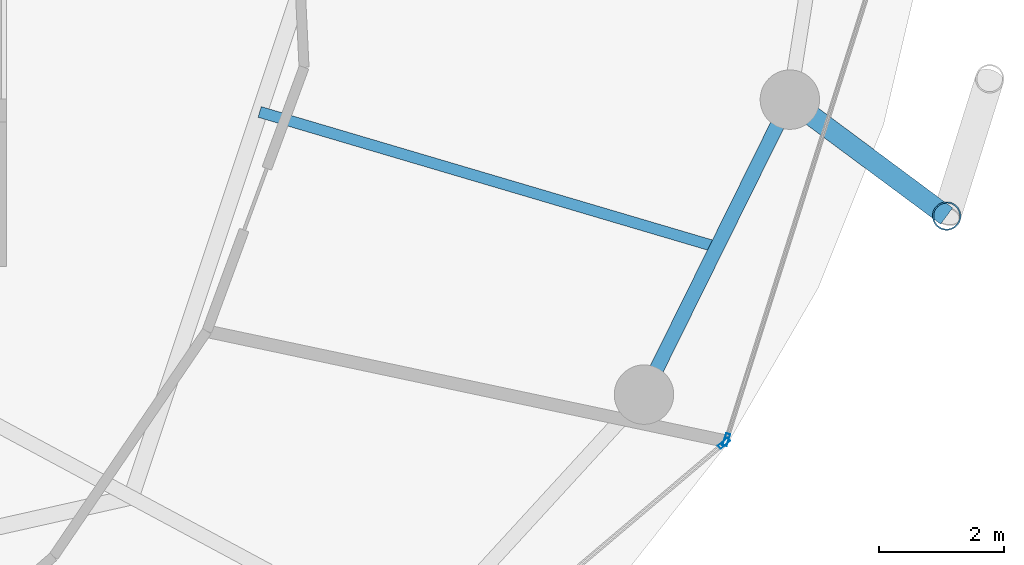
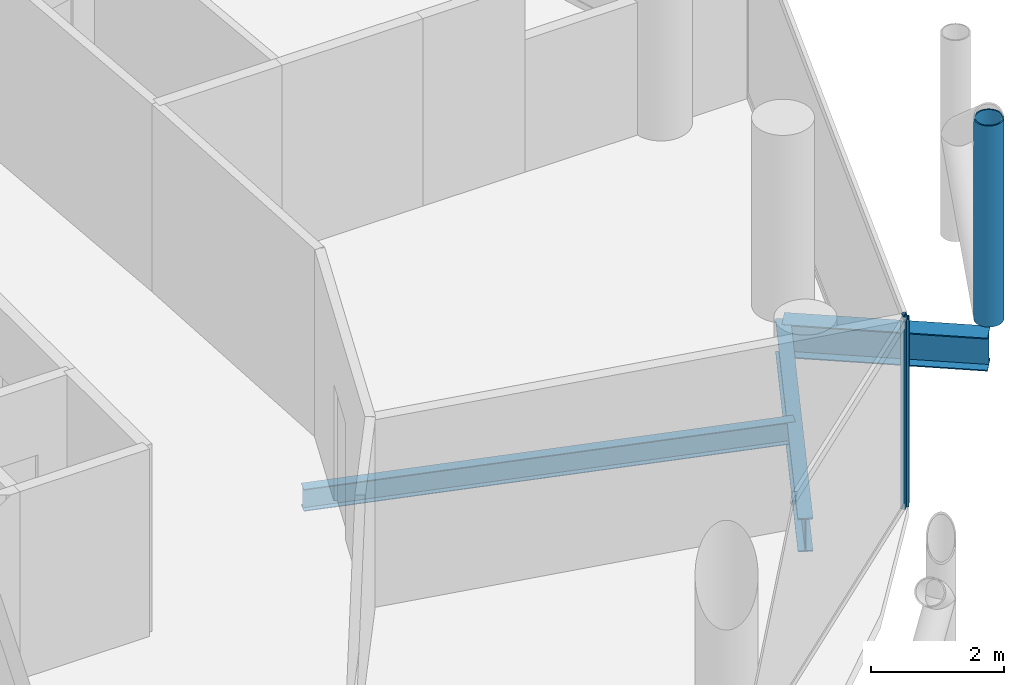
# One storey, part 10 of 26: 3 beams, 3 members, 2 elements without a shape of their own.
"""IFC4 building model written with IfcOpenShell, lengths in metres."""

from ifc_helpers import new_model, si_unit, direction, frame, origin, origin_2d, place, context, subcontext, project, spatial, hollow_rectangle, hollow_circle, i_section, extrude, material, layer, layer_set, material_profile, profile_set, type_object, element, aggregate, save


model = new_model("IFC4")

# Units and contexts
model_context = context("Model", 3, precision=1e-05, world=origin(), true_north=direction((0.0, 1.0)))
body_context = subcontext(model_context, "Body", "Model", "MODEL_VIEW")
ifc_project = project(units=[si_unit("LENGTHUNIT", "METRE"), si_unit("AREAUNIT", "SQUARE_METRE"), si_unit("VOLUMEUNIT", "CUBIC_METRE"), si_unit("PLANEANGLEUNIT", "RADIAN"), si_unit("MASSUNIT", "GRAM", prefix="KILO")], contexts=[model_context])

# Site, building, storey
site_placement = place(None, origin())
site = spatial("IfcSite", under=ifc_project, at=site_placement, CompositionType="ELEMENT")
building_placement = place(site_placement, origin())
building = spatial("IfcBuilding", under=site, at=building_placement, Name="Nuhasar Tower", CompositionType="ELEMENT")
storey_placement = place(building_placement, frame((0.0, 0.0, 173.75)))
storey = spatial("IfcBuildingStorey", under=building, at=storey_placement, Name="L42", CompositionType="ELEMENT", Elevation=173.75)

# Beams
ifc_material_1 = material(Name="Steel S355", Category="steel")
ifc_material_profile_1 = material_profile(ifc_material_1, i_section(OverallWidth=0.177978515625, OverallDepth=0.406005859375, WebThickness=0.0078125, FlangeThickness=0.0126953125, at=origin_2d()), Name="W16X40")
ifc_profile_set_1 = profile_set([ifc_material_profile_1], Name="Steel S355")
beam_type_1 = type_object("IfcBeamType", Name="BM-JST-W16X40", PredefinedType="JOIST", material=ifc_profile_set_1)
beam_1_placement = place(storey_placement, frame((53.0791015625, 21.54296875, -0.452880859375), z_axis=(0.959000494697, -0.283404395116, 0.0), x_axis=(0.283404395116, 0.959000494697, 0.0)))
element("IfcBeam", 1, at=beam_1_placement, inside=storey, type_object=beam_type_1, Name="L42 Secondary Floor Joist 03", PredefinedType="JOIST", context=body_context, shape_type="SweptSolid", body=[
    extrude(i_section(OverallWidth=0.177978515625, OverallDepth=0.406005859375, WebThickness=0.0078125, FlangeThickness=0.0126953125, at=origin_2d()), origin(), (0.0, 0.0, 1.0), 7.621337890625),
])
ifc_material_profile_2 = material_profile(ifc_material_1, i_section(OverallWidth=0.22998046875, OverallDepth=0.616943359375, WebThickness=0.01318359375, FlangeThickness=0.022216796875, at=origin_2d()), Name="W24X94")
ifc_profile_set_2 = profile_set([ifc_material_profile_2], Name="Steel S355")
beam_type_2 = type_object("IfcBeamType", Name="BM-RING-W24X94", PredefinedType="SPANDREL", material=ifc_profile_set_2)
beam_2_placement = place(storey_placement, frame((59.221923828125, 17.02490234375, -0.55908203125), z_axis=(0.443329327657, 0.896358804966, 0.0), x_axis=(-0.896358804966, 0.443329327657, 0.0)))
element("IfcBeam", 2, at=beam_2_placement, inside=storey, type_object=beam_type_2, Name="L42 Perimeter Ring Spandrel 23", PredefinedType="SPANDREL", context=body_context, shape_type="SweptSolid", body=[
    extrude(i_section(OverallWidth=0.22998046875, OverallDepth=0.616943359375, WebThickness=0.01318359375, FlangeThickness=0.022216796875, at=origin_2d()), origin(), (0.0, 0.0, 1.0), 5.26025390625),
])
ifc_material_profile_3 = material_profile(ifc_material_1, i_section(OverallWidth=0.323974609375, OverallDepth=0.611083984375, WebThickness=0.0126953125, FlangeThickness=0.01904296875, at=origin_2d()), Name="W24X104")
ifc_profile_set_3 = profile_set([ifc_material_profile_3], Name="Steel S355")
beam_type_3 = type_object("IfcBeamType", Name="BM-TIE-W24X104", PredefinedType="BEAM", material=ifc_profile_set_3)
beam_3_placement = place(storey_placement, frame((61.553955078125, 21.739990234375, -0.554931640625), z_axis=(0.80283476238, -0.596201597041, 0.0), x_axis=(0.596201597041, 0.80283476238, 0.0)))
element("IfcBeam", 3, at=beam_3_placement, inside=storey, type_object=beam_type_3, Name="L42 Exoskeleton Node Tie Beam 12", PredefinedType="BEAM", context=body_context, shape_type="SweptSolid", body=[
    extrude(i_section(OverallWidth=0.323974609375, OverallDepth=0.611083984375, WebThickness=0.0126953125, FlangeThickness=0.01904296875, at=origin_2d()), origin(), (0.0, 0.0, 1.0), 3.12158203125),
])

# Curtain wall, member
ifc_material_2 = material(Name="Aluminium 6063-T6", Category="aluminium")
ifc_layer = layer(ifc_material_2, 0.199951171875)
ifc_layer_set = layer_set([ifc_layer], Name="Aluminium 6063-T6")
curtain_wall_type = type_object("IfcCurtainWallType", Name="CW-Z2-HTL", PredefinedType="NOTDEFINED", material=ifc_layer_set)
curtain_wall_1_placement = place(storey_placement, origin())
curtain_wall_1 = element("IfcCurtainWall", 4, at=curtain_wall_1_placement, inside=storey, type_object=curtain_wall_type, Name="L42 Unitised Curtain Wall 11", PredefinedType="NOTDEFINED")
ifc_material_profile_4 = material_profile(ifc_material_2, hollow_rectangle(XDim=0.070068359375, YDim=0.199951171875, WallThickness=0.0048828125, at=origin_2d()), Name="CWM-3")
ifc_profile_set_4 = profile_set([ifc_material_profile_4], Name="Aluminium 6063-T6")
member_type_1 = type_object("IfcMemberType", Name="CW-MUL-S3", PredefinedType="MULLION", material=ifc_profile_set_4)
member_1_placement = place(storey_placement, frame((60.502197265625, 16.247314453125, 0.0), z_axis=(0.0, 0.0, 1.0), x_axis=(-0.646374438324, 0.763020370292, 0.0)))
member_1 = element("IfcMember", 5, at=member_1_placement, type_object=member_type_1, Name="CW-Z2 mullion 2", PredefinedType="MULLION", context=body_context, shape_type="SweptSolid", body=[
    extrude(hollow_rectangle(XDim=0.070068359375, YDim=0.199951171875, WallThickness=0.0048828125, at=origin_2d()), origin(), (0.0, 0.0, 1.0), 3.449951171875),
])
aggregate(curtain_wall_1, [member_1])

curtain_wall_2_placement = place(storey_placement, origin())
curtain_wall_2 = element("IfcCurtainWall", 6, at=curtain_wall_2_placement, inside=storey, type_object=curtain_wall_type, Name="L42 Unitised Curtain Wall 12", PredefinedType="NOTDEFINED")
member_2_placement = place(storey_placement, frame((60.53955078125, 16.303466796875, 0.0), z_axis=(0.0, 0.0, 1.0), x_axis=(-0.953433389233, 0.301603667577, 0.0)))
member_2 = element("IfcMember", 7, at=member_2_placement, type_object=member_type_1, Name="CW-Z2 mullion 1", PredefinedType="MULLION", context=body_context, shape_type="SweptSolid", body=[
    extrude(hollow_rectangle(XDim=0.070068359375, YDim=0.199951171875, WallThickness=0.0048828125, at=origin_2d()), origin(), (0.0, 0.0, 1.0), 3.449951171875),
])
aggregate(curtain_wall_2, [member_2])

# Member
ifc_material_3 = material(Name="Steel S460", Category="steel")
ifc_material_profile_5 = material_profile(ifc_material_3, hollow_circle(Radius=0.228515625, WallThickness=0.022216796875, at=origin_2d()), Name="HSS457X22.2")
ifc_profile_set_5 = profile_set([ifc_material_profile_5], Name="Steel S460")
member_type_2 = type_object("IfcMemberType", Name="EXO-BRONZE-457", PredefinedType="BRACE", material=ifc_profile_set_5)
member_3_placement = place(storey_placement, frame((64.06005859375, 19.87890625, 0.0), z_axis=(0.0, 0.0, 1.0), x_axis=(1.0, 0.0, 0.0)))
element("IfcMember", 8, at=member_3_placement, inside=storey, type_object=member_type_2, Name="L42 Exoskeleton Chord Column EC-12A", PredefinedType="BRACE", context=body_context, shape_type="SweptSolid", body=[
    extrude(hollow_circle(Radius=0.228515625, WallThickness=0.022216796875, at=origin_2d()), origin(), (0.0, 0.0, 1.0), 3.699951171875),
])

save(model, "model.ifc")
